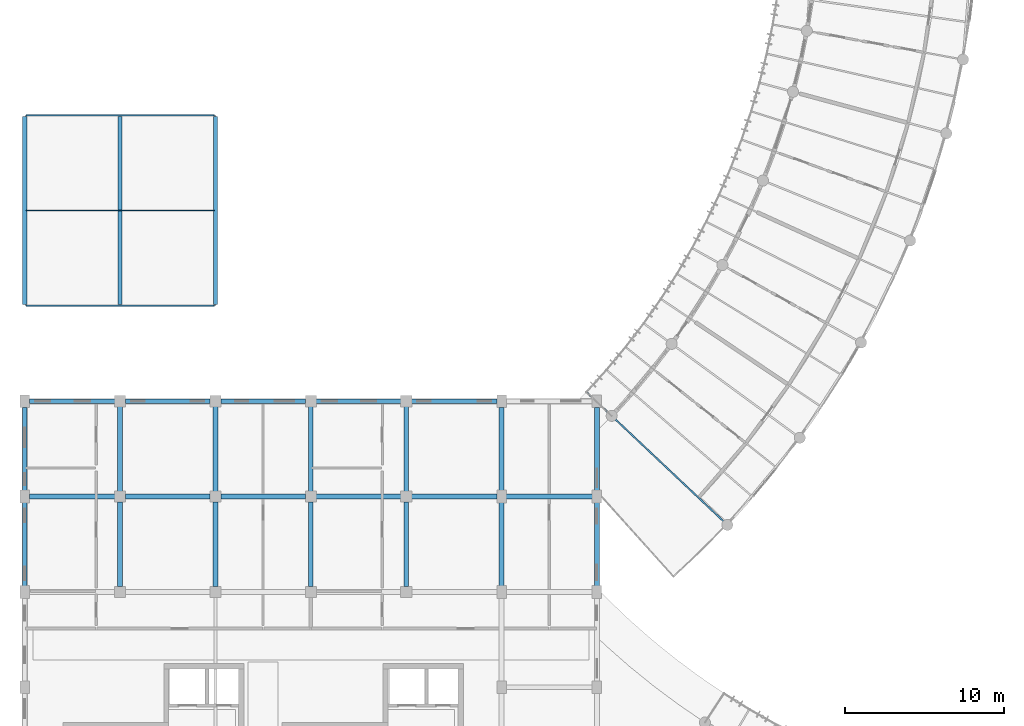
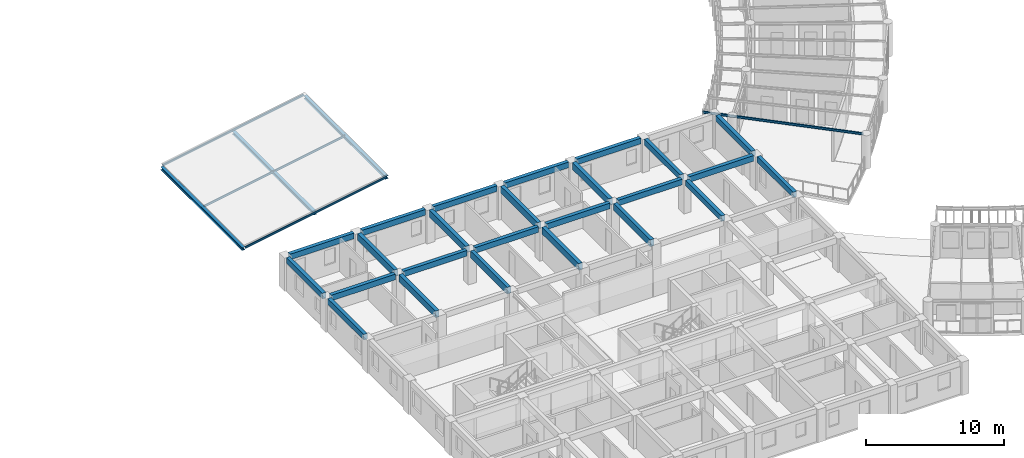
# One storey, part 21 of 137: 29 beams, 3 members.
"""IFC4 building model written with IfcOpenShell, lengths in metres."""

from ifc_helpers import new_model, si_unit, direction, frame, origin, origin_2d, place, context, subcontext, project, spatial, rectangle, i_section, extrude, material, material_profile, profile_set, type_object, element, save


model = new_model("IFC4")

# Units and contexts
model_context = context("Model", 3, precision=1e-05, world=origin(), true_north=direction((0.0, 1.0)))
body_context = subcontext(model_context, "Body", "Model", "MODEL_VIEW")
ifc_project = project(units=[si_unit("LENGTHUNIT", "METRE"), si_unit("AREAUNIT", "SQUARE_METRE"), si_unit("VOLUMEUNIT", "CUBIC_METRE"), si_unit("PLANEANGLEUNIT", "RADIAN"), si_unit("MASSUNIT", "GRAM", prefix="KILO"), si_unit("POWERUNIT", "WATT"), si_unit("THERMODYNAMICTEMPERATUREUNIT", "KELVIN")], contexts=[model_context])

# Site, building, storey
site_placement = place(None, origin())
site = spatial("IfcSite", under=ifc_project, at=site_placement, CompositionType="ELEMENT")
building_placement = place(site_placement, origin())
building = spatial("IfcBuilding", under=site, at=building_placement, Name="Ruvembo Vaulted Housing Court", CompositionType="ELEMENT")
storey_placement = place(building_placement, frame((0.0, 0.0, 4.5)))
storey = spatial("IfcBuildingStorey", under=building, at=storey_placement, Name="L01", CompositionType="ELEMENT", Elevation=4.5)

# Beams
ifc_material_1 = material(Name="Concrete C35/45", Category="concrete")
ifc_material_profile_1 = material_profile(ifc_material_1, rectangle(XDim=0.300048828125, YDim=0.60009765625, at=origin_2d()), Name="RC 300x600")
ifc_profile_set_1 = profile_set([ifc_material_profile_1], Name="Concrete C35/45")
beam_type_1 = type_object("IfcBeamType", Name="BM-RC-300x600", PredefinedType="BEAM", material=ifc_profile_set_1)
for number, where, z_axis, x_axis, name in (
    (1, (6.0, 30.3349609375, 2.64501953125), (0.0, 1.0, 0.0), (-1.0, 0.0, 0.0), "L01 Grid Beam Y #1316"),
    (2, (6.0, 36.3349609375, 2.64501953125), (0.0, 1.0, 0.0), (-1.0, 0.0, 0.0), "L01 Grid Beam Y #1317"),
    (3, (12.0, 30.3349609375, 2.64501953125), (0.0, 1.0, 0.0), (-1.0, 0.0, 0.0), "L01 Grid Beam Y #1321"),
    (4, (12.0, 36.3349609375, 2.64501953125), (0.0, 1.0, 0.0), (-1.0, 0.0, 0.0), "L01 Grid Beam Y #1322"),
    (5, (18.0, 30.3349609375, 2.64501953125), (0.0, 1.0, 0.0), (-1.0, 0.0, 0.0), "L01 Grid Beam Y #1325"),
    (6, (18.0, 36.3349609375, 2.64501953125), (0.0, 1.0, 0.0), (-1.0, 0.0, 0.0), "L01 Grid Beam Y #1326"),
    (7, (24.0, 30.3349609375, 2.64501953125), (0.0, 1.0, 0.0), (-1.0, 0.0, 0.0), "L01 Grid Beam Y #1329"),
    (8, (24.0, 36.3349609375, 2.64501953125), (0.0, 1.0, 0.0), (-1.0, 0.0, 0.0), "L01 Grid Beam Y #1330"),
):
    element("IfcBeam", number, at=place(storey_placement, frame(where, z_axis=z_axis, x_axis=x_axis)), inside=storey, type_object=beam_type_1, Name=name, PredefinedType="BEAM", context=body_context, shape_type="SweptSolid", body=[
        extrude(rectangle(XDim=0.300048828125, YDim=0.60009765625, at=origin_2d()), origin(), (0.0, 0.0, 1.0), 5.330078125),
    ])
ifc_material_2 = material(Name="Steel S355J2", Category="steel")
ifc_material_profile_2 = material_profile(ifc_material_2, i_section(OverallWidth=0.260009765625, OverallDepth=0.260009765625, WebThickness=0.010009765625, FlangeThickness=0.017578125, FilletRadius=0.02392578125, at=origin_2d()), Name="HEB 260")
ifc_profile_set_2 = profile_set([ifc_material_profile_2], Name="Steel S355J2")
beam_type_2 = type_object("IfcBeamType", Name="BM-ST-HEB260", PredefinedType="BEAM", material=ifc_profile_set_2)
for number, where, z_axis, x_axis, name in (
    (9, (0.0, 48.080078125, -0.239990234375), (0.0, 1.0, 0.0), (-1.0, 0.0, 0.0), "Canopy Steel Cross Beam CAN-W X0"),
    (10, (6.0, 48.080078125, 0.81787109375), (0.0, 1.0, 0.0), (-1.0, 0.0, 0.0), "Canopy Steel Cross Beam CAN-W X6"),
    (11, (12.0, 48.080078125, 1.8759765625), (0.0, 1.0, 0.0), (-1.0, 0.0, 0.0), "Canopy Steel Cross Beam CAN-W X12"),
):
    element("IfcBeam", number, at=place(storey_placement, frame(where, z_axis=z_axis, x_axis=x_axis)), inside=storey, type_object=beam_type_2, Name=name, PredefinedType="BEAM", context=body_context, shape_type="SweptSolid", body=[
        extrude(i_section(OverallWidth=0.260009765625, OverallDepth=0.260009765625, WebThickness=0.010009765625, FlangeThickness=0.017578125, FilletRadius=0.02392578125, at=origin_2d()), origin(), (0.0, 0.0, 1.0), 11.83984375),
    ])
ifc_material_profile_3 = material_profile(ifc_material_2, i_section(OverallWidth=0.10009765625, OverallDepth=0.199951171875, WebThickness=0.005615234375, FlangeThickness=0.008544921875, FilletRadius=0.011962890625, at=origin_2d()), Name="IPE 200")
ifc_profile_set_3 = profile_set([ifc_material_profile_3], Name="Steel S355J2")
beam_type_3 = type_object("IfcBeamType", Name="BM-ST-IPE200", PredefinedType="BEAM", material=ifc_profile_set_3)
beam_1_placement = place(storey_placement, frame((44.040283203125, 34.377197265625, 2.840087890625), z_axis=(-0.727715212014, 0.685879413748, 0.0), x_axis=(-0.685879413748, -0.727715212014, 0.0)))
element("IfcBeam", 12, at=beam_1_placement, inside=storey, type_object=beam_type_3, Name="Scoop SC1 L01 Radial Steel Joist 0", PredefinedType="BEAM", context=body_context, shape_type="SweptSolid", body=[
    extrude(i_section(OverallWidth=0.10009765625, OverallDepth=0.199951171875, WebThickness=0.005615234375, FlangeThickness=0.008544921875, FilletRadius=0.011962890625, at=origin_2d()), origin(), (0.0, 0.0, 1.0), 12.009765625),
])

# Members
ifc_material_profile_4 = material_profile(ifc_material_2, i_section(OverallWidth=0.091064453125, OverallDepth=0.179931640625, WebThickness=0.00537109375, FlangeThickness=0.008056640625, FilletRadius=0.009033203125, at=origin_2d()), Name="IPE 180")
ifc_profile_set_4 = profile_set([ifc_material_profile_4], Name="Steel S355J2")
member_type = type_object("IfcMemberType", Name="MEM-PUR-IPE180", PredefinedType="PURLIN", material=ifc_profile_set_4)
for number, where, z_axis, x_axis, name in (
    (13, (0.080078125, 48.0, -0.10009765625), (0.984402976669, 0.0, 0.175928336333), (0.0, 1.0, 0.0), "Canopy Sloped Steel Rafter CAN-W Y48"),
    (14, (0.080078125, 54.0, -0.10009765625), (0.984402976669, 0.0, 0.175928336333), (0.0, 1.0, 0.0), "Canopy Sloped Steel Rafter CAN-W Y54"),
    (15, (0.080078125, 60.0, -0.10009765625), (0.984402976669, 0.0, 0.175928336333), (0.0, 1.0, 0.0), "Canopy Sloped Steel Rafter CAN-W Y60"),
):
    element("IfcMember", number, at=place(storey_placement, frame(where, z_axis=z_axis, x_axis=x_axis)), inside=storey, type_object=member_type, Name=name, PredefinedType="PURLIN", context=body_context, shape_type="SweptSolid", body=[
        extrude(i_section(OverallWidth=0.091064453125, OverallDepth=0.179931640625, WebThickness=0.00537109375, FlangeThickness=0.008056640625, FilletRadius=0.009033203125, at=origin_2d()), origin(), (0.0, 0.0, 1.0), 12.02734375),
    ])

# Beams
ifc_material_profile_5 = material_profile(ifc_material_1, rectangle(XDim=0.300048828125, YDim=0.5, at=origin_2d()), Name="RC 300x500")
ifc_profile_set_5 = profile_set([ifc_material_profile_5], Name="Concrete C35/45")
beam_type_4 = type_object("IfcBeamType", Name="SP-RC-300x500", PredefinedType="SPANDREL", material=ifc_profile_set_5)
beam_2_placement = place(storey_placement, frame((0.284912109375, 36.0, 2.695068359375), z_axis=(1.0, 0.0, 0.0), x_axis=(0.0, 1.0, 0.0)))
element("IfcBeam", 16, at=beam_2_placement, inside=storey, type_object=beam_type_4, Name="L01 Grid Beam X #1192", PredefinedType="SPANDREL", context=body_context, shape_type="SweptSolid", body=[
    extrude(rectangle(XDim=0.300048828125, YDim=0.5, at=origin_2d()), origin(), (0.0, 0.0, 1.0), 5.380126953125),
])
for number, where, z_axis, x_axis, name in (
    (17, (6.3349609375, 36.0, 2.695068359375), (1.0, 0.0, 0.0), (0.0, 1.0, 0.0), "L01 Grid Beam X #1193"),
    (18, (12.3349609375, 36.0, 2.695068359375), (1.0, 0.0, 0.0), (0.0, 1.0, 0.0), "L01 Grid Beam X #1194"),
    (19, (18.3349609375, 36.0, 2.695068359375), (1.0, 0.0, 0.0), (0.0, 1.0, 0.0), "L01 Grid Beam X #1195"),
):
    element("IfcBeam", number, at=place(storey_placement, frame(where, z_axis=z_axis, x_axis=x_axis)), inside=storey, type_object=beam_type_4, Name=name, PredefinedType="SPANDREL", context=body_context, shape_type="SweptSolid", body=[
        extrude(rectangle(XDim=0.300048828125, YDim=0.5, at=origin_2d()), origin(), (0.0, 0.0, 1.0), 5.330078125),
    ])
beam_3_placement = place(storey_placement, frame((24.3349609375, 36.0, 2.695068359375), z_axis=(1.0, 0.0, 0.0), x_axis=(0.0, 1.0, 0.0)))
element("IfcBeam", 20, at=beam_3_placement, inside=storey, type_object=beam_type_4, Name="L01 Grid Beam X #1196", PredefinedType="SPANDREL", context=body_context, shape_type="SweptSolid", body=[
    extrude(rectangle(XDim=0.300048828125, YDim=0.5, at=origin_2d()), origin(), (0.0, 0.0, 1.0), 5.380126953125),
])
beam_4_placement = place(storey_placement, frame((30.284912109375, 36.0, 2.695068359375), z_axis=(1.0, 0.0, 0.0), x_axis=(0.0, 1.0, 0.0)))
element("IfcBeam", 21, at=beam_4_placement, inside=storey, type_object=beam_type_4, Name="L01 Grid Beam X #1197", PredefinedType="SPANDREL", context=body_context, shape_type="SweptSolid", body=[
    extrude(rectangle(XDim=0.300048828125, YDim=0.5, at=origin_2d()), origin(), (0.0, 0.0, 1.0), 5.43017578125),
])
beam_5_placement = place(storey_placement, frame((0.284912109375, 42.0, 2.695068359375), z_axis=(1.0, 0.0, 0.0), x_axis=(0.0, 1.0, 0.0)))
element("IfcBeam", 22, at=beam_5_placement, inside=storey, type_object=beam_type_4, Name="L01 Grid Beam X #1208", PredefinedType="SPANDREL", context=body_context, shape_type="SweptSolid", body=[
    extrude(rectangle(XDim=0.300048828125, YDim=0.5, at=origin_2d()), origin(), (0.0, 0.0, 1.0), 5.380126953125),
])
for number, where, z_axis, x_axis, name in (
    (23, (6.3349609375, 42.0, 2.695068359375), (1.0, 0.0, 0.0), (0.0, 1.0, 0.0), "L01 Grid Beam X #1209"),
    (24, (12.3349609375, 42.0, 2.695068359375), (1.0, 0.0, 0.0), (0.0, 1.0, 0.0), "L01 Grid Beam X #1210"),
    (25, (18.3349609375, 42.0, 2.695068359375), (1.0, 0.0, 0.0), (0.0, 1.0, 0.0), "L01 Grid Beam X #1211"),
):
    element("IfcBeam", number, at=place(storey_placement, frame(where, z_axis=z_axis, x_axis=x_axis)), inside=storey, type_object=beam_type_4, Name=name, PredefinedType="SPANDREL", context=body_context, shape_type="SweptSolid", body=[
        extrude(rectangle(XDim=0.300048828125, YDim=0.5, at=origin_2d()), origin(), (0.0, 0.0, 1.0), 5.330078125),
    ])
beam_6_placement = place(storey_placement, frame((24.3349609375, 42.0, 2.695068359375), z_axis=(1.0, 0.0, 0.0), x_axis=(0.0, 1.0, 0.0)))
element("IfcBeam", 26, at=beam_6_placement, inside=storey, type_object=beam_type_4, Name="L01 Grid Beam X #1212", PredefinedType="SPANDREL", context=body_context, shape_type="SweptSolid", body=[
    extrude(rectangle(XDim=0.300048828125, YDim=0.5, at=origin_2d()), origin(), (0.0, 0.0, 1.0), 5.380126953125),
])
for number, where, z_axis, x_axis, name in (
    (27, (0.0, 30.385009765625, 2.695068359375), (0.0, 1.0, 0.0), (-1.0, 0.0, 0.0), "L01 Grid Beam Y #1312"),
    (28, (0.0, 36.385009765625, 2.695068359375), (0.0, 1.0, 0.0), (-1.0, 0.0, 0.0), "L01 Grid Beam Y #1313"),
    (29, (30.0, 30.385009765625, 2.695068359375), (0.0, 1.0, 0.0), (-1.0, 0.0, 0.0), "L01 Grid Beam Y #1335"),
    (30, (30.0, 36.385009765625, 2.695068359375), (0.0, 1.0, 0.0), (-1.0, 0.0, 0.0), "L01 Grid Beam Y #1336"),
    (31, (36.0, 30.385009765625, 2.695068359375), (0.0, 1.0, 0.0), (-1.0, 0.0, 0.0), "L01 Grid Beam Y #1341"),
    (32, (36.0, 36.385009765625, 2.695068359375), (0.0, 1.0, 0.0), (-1.0, 0.0, 0.0), "L01 Grid Beam Y #1342"),
):
    element("IfcBeam", number, at=place(storey_placement, frame(where, z_axis=z_axis, x_axis=x_axis)), inside=storey, type_object=beam_type_4, Name=name, PredefinedType="SPANDREL", context=body_context, shape_type="SweptSolid", body=[
        extrude(rectangle(XDim=0.300048828125, YDim=0.5, at=origin_2d()), origin(), (0.0, 0.0, 1.0), 5.22998046875),
    ])

save(model, "model.ifc")
